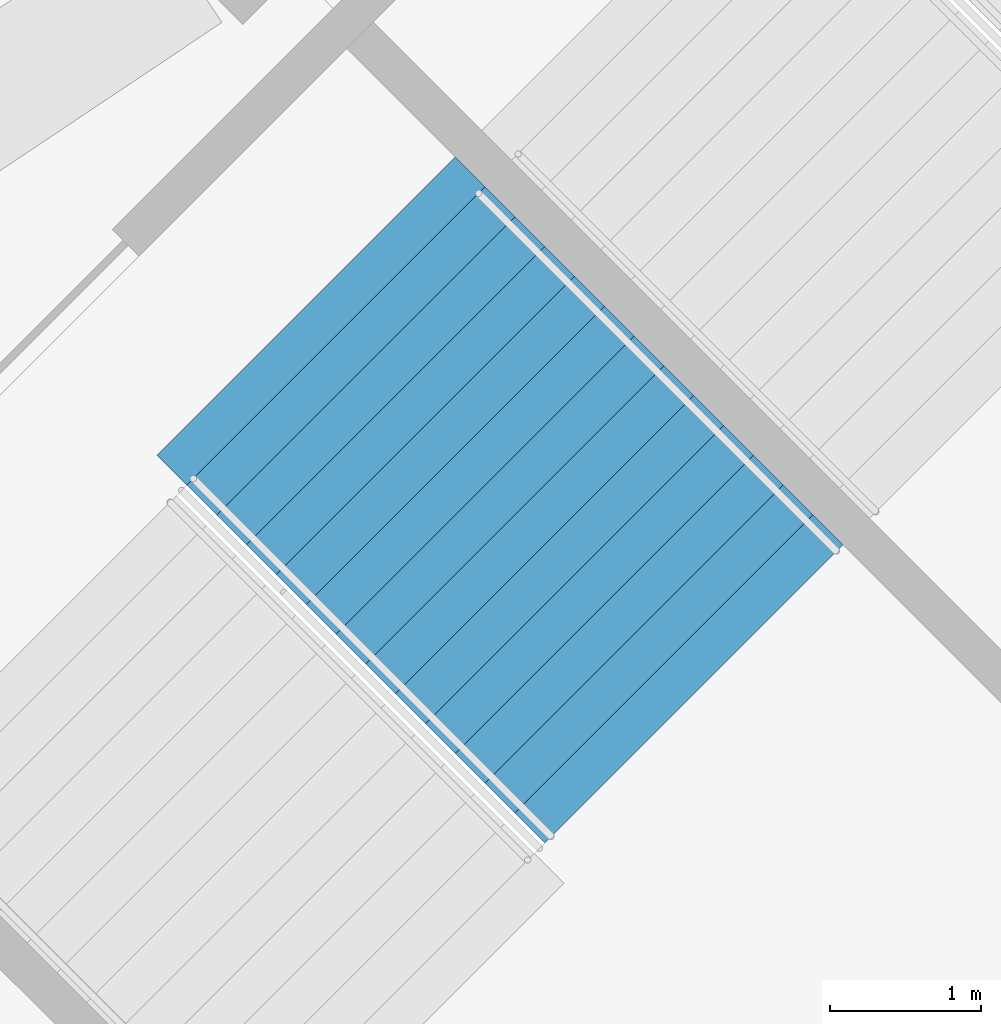
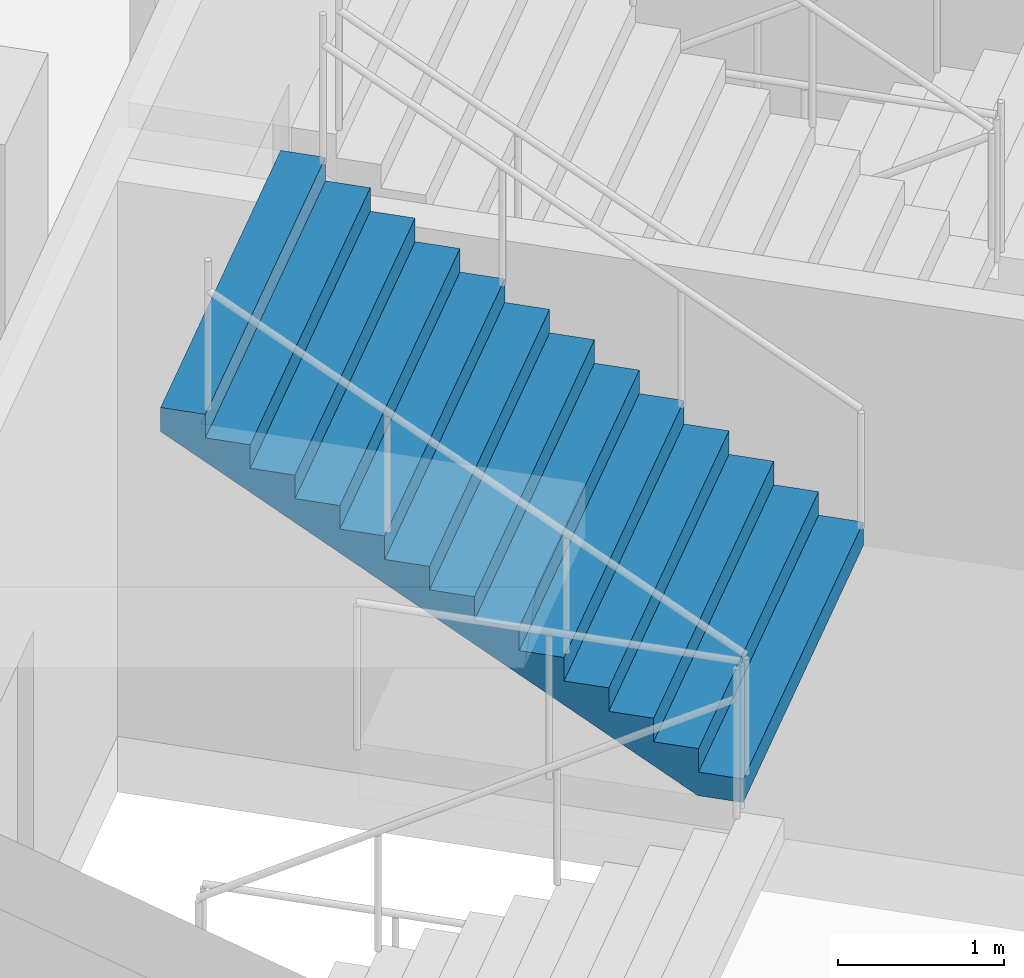
# One storey, part 138 of 199: 1 stair flight, 1 element without a shape of its own.
"""IFC4 building model written with IfcOpenShell, lengths in metres."""

from ifc_helpers import new_model, si_unit, direction, frame, origin, place, context, subcontext, project, spatial, faceted_brep, material, type_object, element, aggregate, save


model = new_model("IFC4")

# Units and contexts
model_context = context("Model", 3, precision=1e-05, world=origin(), true_north=direction((0.0, 1.0)))
body_context = subcontext(model_context, "Body", "Model", "MODEL_VIEW")
ifc_project = project(units=[si_unit("LENGTHUNIT", "METRE"), si_unit("AREAUNIT", "SQUARE_METRE"), si_unit("VOLUMEUNIT", "CUBIC_METRE"), si_unit("PLANEANGLEUNIT", "RADIAN"), si_unit("MASSUNIT", "GRAM", prefix="KILO")], contexts=[model_context])

# Site, building, storey
site_placement = place(None, origin())
site = spatial("IfcSite", under=ifc_project, at=site_placement, CompositionType="ELEMENT")
building_placement = place(site_placement, origin())
building = spatial("IfcBuilding", under=site, at=building_placement, Name="Ogive Plaza Stadium", CompositionType="ELEMENT")
storey_placement = place(building_placement, frame((0.0, 0.0, 4.5)))
storey = spatial("IfcBuildingStorey", under=building, at=storey_placement, Name="L01", CompositionType="ELEMENT", Elevation=4.5)

# Stair, stair flight
ifc_material_1 = material(Name="Concrete C40/50", Category="concrete")
stair_type = type_object("IfcStairType", Name="Exit stair", PredefinedType="STRAIGHT_RUN_STAIR", material=ifc_material_1)
stair_placement = place(storey_placement, origin())
stair = element("IfcStair", 1, at=stair_placement, inside=storey, type_object=stair_type, Name="Exit stair ST10A L01 to L02", PredefinedType="STRAIGHT_RUN_STAIR")
ifc_material_2 = material(Name="Concrete C40/50", Category="concrete")
stair_flight_type = type_object("IfcStairFlightType", Name="Exit stair flight", PredefinedType="STRAIGHT", material=ifc_material_2)
stair_flight_placement = place(storey_placement, frame((65.243408203125, -85.900146484375, 2.25), z_axis=(0.0, 0.0, 1.0), x_axis=(-0.707106781187, 0.707106781187, 0.0)))
stair_flight = element("IfcStairFlight", 2, at=stair_flight_placement, type_object=stair_flight_type, Name="ST10A flight 2", NumberOfRisers=13, NumberOfTreads=12, PredefinedType="STRAIGHT", RiserHeight=0.173076923, TreadLength=0.28, context=body_context, shape_type="Brep", body=[
    faceted_brep([(0.28515625, -1.39990234375, 0.0), (3.639892578125, -1.39990234375, 2.07373046875), (3.639892578125, -1.39990234375, 2.25), (3.360107421875, -1.39990234375, 2.25), (3.360107421875, -1.39990234375, 2.076904296875), (3.080078125, -1.39990234375, 2.076904296875), (3.080078125, -1.39990234375, 1.90380859375), (2.800048828125, -1.39990234375, 1.90380859375), (2.800048828125, -1.39990234375, 1.730712890625), (2.52001953125, -1.39990234375, 1.730712890625), (2.52001953125, -1.39990234375, 1.5576171875), (2.239990234375, -1.39990234375, 1.5576171875), (2.239990234375, -1.39990234375, 1.384521484375), (1.9599609375, -1.39990234375, 1.384521484375), (1.9599609375, -1.39990234375, 1.21142578125), (1.679931640625, -1.39990234375, 1.21142578125), (1.679931640625, -1.39990234375, 1.03857421875), (1.39990234375, -1.39990234375, 1.03857421875), (1.39990234375, -1.39990234375, 0.865478515625), (1.1201171875, -1.39990234375, 0.865478515625), (1.1201171875, -1.39990234375, 0.6923828125), (0.840087890625, -1.39990234375, 0.6923828125), (0.840087890625, -1.39990234375, 0.519287109375), (0.56005859375, -1.39990234375, 0.519287109375), (0.56005859375, -1.39990234375, 0.34619140625), (0.280029296875, -1.39990234375, 0.34619140625), (0.280029296875, -1.39990234375, 0.173095703125), (0.0, -1.39990234375, 0.173095703125), (0.0, -1.39990234375, 0.0), (0.0, 1.39990234375, 0.0), (0.0, 1.39990234375, 0.173095703125), (0.280029296875, 1.39990234375, 0.173095703125), (0.280029296875, 1.39990234375, 0.34619140625), (0.56005859375, 1.39990234375, 0.34619140625), (0.56005859375, 1.39990234375, 0.519287109375), (0.840087890625, 1.39990234375, 0.519287109375), (0.840087890625, 1.39990234375, 0.6923828125), (1.1201171875, 1.39990234375, 0.6923828125), (1.1201171875, 1.39990234375, 0.865478515625), (1.39990234375, 1.39990234375, 0.865478515625), (1.39990234375, 1.39990234375, 1.03857421875), (1.679931640625, 1.39990234375, 1.03857421875), (1.679931640625, 1.39990234375, 1.21142578125), (1.9599609375, 1.39990234375, 1.21142578125), (1.9599609375, 1.39990234375, 1.384521484375), (2.239990234375, 1.39990234375, 1.384521484375), (2.239990234375, 1.39990234375, 1.5576171875), (2.52001953125, 1.39990234375, 1.5576171875), (2.52001953125, 1.39990234375, 1.730712890625), (2.800048828125, 1.39990234375, 1.730712890625), (2.800048828125, 1.39990234375, 1.90380859375), (3.080078125, 1.39990234375, 1.90380859375), (3.080078125, 1.39990234375, 2.076904296875), (3.360107421875, 1.39990234375, 2.076904296875), (3.360107421875, 1.39990234375, 2.25), (3.639892578125, 1.39990234375, 2.25), (3.639892578125, 1.39990234375, 2.07373046875), (0.28515625, 1.39990234375, 0.0), (0.28515625, -1.0888671875, 0.0), (3.639892578125, -1.0888671875, 2.07373046875), (0.28515625, -0.77783203125, 0.0), (3.639892578125, -0.77783203125, 2.07373046875), (0.28515625, -0.466796875, 0.0), (3.639892578125, -0.466796875, 2.07373046875), (0.28515625, -0.155517578125, 0.0), (3.639892578125, -0.155517578125, 2.07373046875), (0.28515625, 0.155517578125, 0.0), (3.639892578125, 0.155517578125, 2.07373046875), (0.28515625, 0.466796875, 0.0), (3.639892578125, 0.466796875, 2.07373046875), (0.28515625, 0.77783203125, 0.0), (3.639892578125, 0.77783203125, 2.07373046875), (0.28515625, 1.0888671875, 0.0), (3.639892578125, 1.0888671875, 2.07373046875), (3.639892578125, -1.0888671875, 2.25), (3.639892578125, -0.77783203125, 2.25), (3.639892578125, -0.466796875, 2.25), (3.639892578125, -0.155517578125, 2.25), (3.639892578125, 0.155517578125, 2.25), (3.639892578125, 0.466796875, 2.25), (3.639892578125, 0.77783203125, 2.25), (3.639892578125, 1.0888671875, 2.25), (3.360107421875, -1.0888671875, 2.25), (3.360107421875, -0.77783203125, 2.25), (3.360107421875, -0.466796875, 2.25), (3.360107421875, -0.155517578125, 2.25), (3.360107421875, 0.155517578125, 2.25), (3.360107421875, 0.466796875, 2.25), (3.360107421875, 0.77783203125, 2.25), (3.360107421875, 1.0888671875, 2.25), (3.360107421875, -1.0888671875, 2.076904296875), (3.360107421875, -0.77783203125, 2.076904296875), (3.360107421875, -0.466796875, 2.076904296875), (3.360107421875, -0.155517578125, 2.076904296875), (3.360107421875, 0.155517578125, 2.076904296875), (3.360107421875, 0.466796875, 2.076904296875), (3.360107421875, 0.77783203125, 2.076904296875), (3.360107421875, 1.0888671875, 2.076904296875), (3.080078125, -1.0888671875, 2.076904296875), (3.080078125, -0.77783203125, 2.076904296875), (3.080078125, -0.466796875, 2.076904296875), (3.080078125, -0.155517578125, 2.076904296875), (3.080078125, 0.155517578125, 2.076904296875), (3.080078125, 0.466796875, 2.076904296875), (3.080078125, 0.77783203125, 2.076904296875), (3.080078125, 1.0888671875, 2.076904296875), (3.080078125, -1.0888671875, 1.90380859375), (3.080078125, -0.77783203125, 1.90380859375), (3.080078125, -0.466796875, 1.90380859375), (3.080078125, -0.155517578125, 1.90380859375), (3.080078125, 0.155517578125, 1.90380859375), (3.080078125, 0.466796875, 1.90380859375), (3.080078125, 0.77783203125, 1.90380859375), (3.080078125, 1.0888671875, 1.90380859375), (2.800048828125, -1.0888671875, 1.90380859375), (2.800048828125, -0.77783203125, 1.90380859375), (2.800048828125, -0.466796875, 1.90380859375), (2.800048828125, -0.155517578125, 1.90380859375), (2.800048828125, 0.155517578125, 1.90380859375), (2.800048828125, 0.466796875, 1.90380859375), (2.800048828125, 0.77783203125, 1.90380859375), (2.800048828125, 1.0888671875, 1.90380859375), (2.800048828125, -1.0888671875, 1.730712890625), (2.800048828125, -0.77783203125, 1.730712890625), (2.800048828125, -0.466796875, 1.730712890625), (2.800048828125, -0.155517578125, 1.730712890625), (2.800048828125, 0.155517578125, 1.730712890625), (2.800048828125, 0.466796875, 1.730712890625), (2.800048828125, 0.77783203125, 1.730712890625), (2.800048828125, 1.0888671875, 1.730712890625), (2.52001953125, -1.0888671875, 1.730712890625), (2.52001953125, -0.77783203125, 1.730712890625), (2.52001953125, -0.466796875, 1.730712890625), (2.52001953125, -0.155517578125, 1.730712890625), (2.52001953125, 0.155517578125, 1.730712890625), (2.52001953125, 0.466796875, 1.730712890625), (2.52001953125, 0.77783203125, 1.730712890625), (2.52001953125, 1.0888671875, 1.730712890625), (2.52001953125, -1.0888671875, 1.5576171875), (2.52001953125, -0.77783203125, 1.5576171875), (2.52001953125, -0.466796875, 1.5576171875), (2.52001953125, -0.155517578125, 1.5576171875), (2.52001953125, 0.155517578125, 1.5576171875), (2.52001953125, 0.466796875, 1.5576171875), (2.52001953125, 0.77783203125, 1.5576171875), (2.52001953125, 1.0888671875, 1.5576171875), (2.239990234375, -1.0888671875, 1.5576171875), (2.239990234375, -0.77783203125, 1.5576171875), (2.239990234375, -0.466796875, 1.5576171875), (2.239990234375, -0.155517578125, 1.5576171875), (2.239990234375, 0.155517578125, 1.5576171875), (2.239990234375, 0.466796875, 1.5576171875), (2.239990234375, 0.77783203125, 1.5576171875), (2.239990234375, 1.0888671875, 1.5576171875), (2.239990234375, -1.0888671875, 1.384521484375), (2.239990234375, -0.77783203125, 1.384521484375), (2.239990234375, -0.466796875, 1.384521484375), (2.239990234375, -0.155517578125, 1.384521484375), (2.239990234375, 0.155517578125, 1.384521484375), (2.239990234375, 0.466796875, 1.384521484375), (2.239990234375, 0.77783203125, 1.384521484375), (2.239990234375, 1.0888671875, 1.384521484375), (1.9599609375, -1.0888671875, 1.384521484375), (1.9599609375, -0.77783203125, 1.384521484375), (1.9599609375, -0.466796875, 1.384521484375), (1.9599609375, -0.155517578125, 1.384521484375), (1.9599609375, 0.155517578125, 1.384521484375), (1.9599609375, 0.466796875, 1.384521484375), (1.9599609375, 0.77783203125, 1.384521484375), (1.9599609375, 1.0888671875, 1.384521484375), (1.9599609375, -1.0888671875, 1.21142578125), (1.9599609375, -0.77783203125, 1.21142578125), (1.9599609375, -0.466796875, 1.21142578125), (1.9599609375, -0.155517578125, 1.21142578125), (1.9599609375, 0.155517578125, 1.21142578125), (1.9599609375, 0.466796875, 1.21142578125), (1.9599609375, 0.77783203125, 1.21142578125), (1.9599609375, 1.0888671875, 1.21142578125), (1.679931640625, -1.0888671875, 1.21142578125), (1.679931640625, -0.77783203125, 1.21142578125), (1.679931640625, -0.466796875, 1.21142578125), (1.679931640625, -0.155517578125, 1.21142578125), (1.679931640625, 0.155517578125, 1.21142578125), (1.679931640625, 0.466796875, 1.21142578125), (1.679931640625, 0.77783203125, 1.21142578125), (1.679931640625, 1.0888671875, 1.21142578125), (1.679931640625, -1.0888671875, 1.03857421875), (1.679931640625, -0.77783203125, 1.03857421875), (1.679931640625, -0.466796875, 1.03857421875), (1.679931640625, -0.155517578125, 1.03857421875), (1.679931640625, 0.155517578125, 1.03857421875), (1.679931640625, 0.466796875, 1.03857421875), (1.679931640625, 0.77783203125, 1.03857421875), (1.679931640625, 1.0888671875, 1.03857421875), (1.39990234375, -1.0888671875, 1.03857421875), (1.39990234375, -0.77783203125, 1.03857421875), (1.39990234375, -0.466796875, 1.03857421875), (1.39990234375, -0.155517578125, 1.03857421875), (1.39990234375, 0.155517578125, 1.03857421875), (1.39990234375, 0.466796875, 1.03857421875), (1.39990234375, 0.77783203125, 1.03857421875), (1.39990234375, 1.0888671875, 1.03857421875), (1.39990234375, -1.0888671875, 0.865478515625), (1.39990234375, -0.77783203125, 0.865478515625), (1.39990234375, -0.466796875, 0.865478515625), (1.39990234375, -0.155517578125, 0.865478515625), (1.39990234375, 0.155517578125, 0.865478515625), (1.39990234375, 0.466796875, 0.865478515625), (1.39990234375, 0.77783203125, 0.865478515625), (1.39990234375, 1.0888671875, 0.865478515625), (1.1201171875, -1.0888671875, 0.865478515625), (1.1201171875, -0.77783203125, 0.865478515625), (1.1201171875, -0.466796875, 0.865478515625), (1.1201171875, -0.155517578125, 0.865478515625), (1.1201171875, 0.155517578125, 0.865478515625), (1.1201171875, 0.466796875, 0.865478515625), (1.1201171875, 0.77783203125, 0.865478515625), (1.1201171875, 1.0888671875, 0.865478515625), (1.1201171875, -1.0888671875, 0.6923828125), (1.1201171875, -0.77783203125, 0.6923828125), (1.1201171875, -0.466796875, 0.6923828125), (1.1201171875, -0.155517578125, 0.6923828125), (1.1201171875, 0.155517578125, 0.6923828125), (1.1201171875, 0.466796875, 0.6923828125), (1.1201171875, 0.77783203125, 0.6923828125), (1.1201171875, 1.0888671875, 0.6923828125), (0.840087890625, -1.0888671875, 0.6923828125), (0.840087890625, -0.77783203125, 0.6923828125), (0.840087890625, -0.466796875, 0.6923828125), (0.840087890625, -0.155517578125, 0.6923828125), (0.840087890625, 0.155517578125, 0.6923828125), (0.840087890625, 0.466796875, 0.6923828125), (0.840087890625, 0.77783203125, 0.6923828125), (0.840087890625, 1.0888671875, 0.6923828125), (0.840087890625, -1.0888671875, 0.519287109375), (0.840087890625, -0.77783203125, 0.519287109375), (0.840087890625, -0.466796875, 0.519287109375), (0.840087890625, -0.155517578125, 0.519287109375), (0.840087890625, 0.155517578125, 0.519287109375), (0.840087890625, 0.466796875, 0.519287109375), (0.840087890625, 0.77783203125, 0.519287109375), (0.840087890625, 1.0888671875, 0.519287109375), (0.56005859375, -1.0888671875, 0.519287109375), (0.56005859375, -0.77783203125, 0.519287109375), (0.56005859375, -0.466796875, 0.519287109375), (0.56005859375, -0.155517578125, 0.519287109375), (0.56005859375, 0.155517578125, 0.519287109375), (0.56005859375, 0.466796875, 0.519287109375), (0.56005859375, 0.77783203125, 0.519287109375), (0.56005859375, 1.0888671875, 0.519287109375), (0.56005859375, -1.0888671875, 0.34619140625), (0.56005859375, -0.77783203125, 0.34619140625), (0.56005859375, -0.466796875, 0.34619140625), (0.56005859375, -0.155517578125, 0.34619140625), (0.56005859375, 0.155517578125, 0.34619140625), (0.56005859375, 0.466796875, 0.34619140625), (0.56005859375, 0.77783203125, 0.34619140625), (0.56005859375, 1.0888671875, 0.34619140625), (0.280029296875, -1.0888671875, 0.34619140625), (0.280029296875, -0.77783203125, 0.34619140625), (0.280029296875, -0.466796875, 0.34619140625), (0.280029296875, -0.155517578125, 0.34619140625), (0.280029296875, 0.155517578125, 0.34619140625), (0.280029296875, 0.466796875, 0.34619140625), (0.280029296875, 0.77783203125, 0.34619140625), (0.280029296875, 1.0888671875, 0.34619140625), (0.280029296875, -1.0888671875, 0.173095703125), (0.280029296875, -0.77783203125, 0.173095703125), (0.280029296875, -0.466796875, 0.173095703125), (0.280029296875, -0.155517578125, 0.173095703125), (0.280029296875, 0.155517578125, 0.173095703125), (0.280029296875, 0.466796875, 0.173095703125), (0.280029296875, 0.77783203125, 0.173095703125), (0.280029296875, 1.0888671875, 0.173095703125), (0.0, -1.0888671875, 0.173095703125), (0.0, -0.77783203125, 0.173095703125), (0.0, -0.466796875, 0.173095703125), (0.0, -0.155517578125, 0.173095703125), (0.0, 0.155517578125, 0.173095703125), (0.0, 0.466796875, 0.173095703125), (0.0, 0.77783203125, 0.173095703125), (0.0, 1.0888671875, 0.173095703125), (0.0, -1.0888671875, 0.0), (0.0, -0.77783203125, 0.0), (0.0, -0.466796875, 0.0), (0.0, -0.155517578125, 0.0), (0.0, 0.155517578125, 0.0), (0.0, 0.466796875, 0.0), (0.0, 0.77783203125, 0.0), (0.0, 1.0888671875, 0.0)], [[[0, 1, 2, 3, 4, 5, 6, 7, 8, 9, 10, 11, 12, 13, 14, 15, 16, 17, 18, 19, 20, 21, 22, 23, 24, 25, 26, 27, 28]], [[29, 30, 31, 32, 33, 34, 35, 36, 37, 38, 39, 40, 41, 42, 43, 44, 45, 46, 47, 48, 49, 50, 51, 52, 53, 54, 55, 56, 57]], [[0, 58, 59, 1]], [[58, 60, 61, 59]], [[60, 62, 63, 61]], [[62, 64, 65, 63]], [[64, 66, 67, 65]], [[66, 68, 69, 67]], [[68, 70, 71, 69]], [[70, 72, 73, 71]], [[72, 57, 56, 73]], [[1, 59, 74, 2]], [[59, 61, 75, 74]], [[61, 63, 76, 75]], [[63, 65, 77, 76]], [[65, 67, 78, 77]], [[67, 69, 79, 78]], [[69, 71, 80, 79]], [[71, 73, 81, 80]], [[73, 56, 55, 81]], [[2, 74, 82, 3]], [[74, 75, 83, 82]], [[75, 76, 84, 83]], [[76, 77, 85, 84]], [[77, 78, 86, 85]], [[78, 79, 87, 86]], [[79, 80, 88, 87]], [[80, 81, 89, 88]], [[81, 55, 54, 89]], [[3, 82, 90, 4]], [[82, 83, 91, 90]], [[83, 84, 92, 91]], [[84, 85, 93, 92]], [[85, 86, 94, 93]], [[86, 87, 95, 94]], [[87, 88, 96, 95]], [[88, 89, 97, 96]], [[89, 54, 53, 97]], [[4, 90, 98, 5]], [[90, 91, 99, 98]], [[91, 92, 100, 99]], [[92, 93, 101, 100]], [[93, 94, 102, 101]], [[94, 95, 103, 102]], [[95, 96, 104, 103]], [[96, 97, 105, 104]], [[97, 53, 52, 105]], [[5, 98, 106, 6]], [[98, 99, 107, 106]], [[99, 100, 108, 107]], [[100, 101, 109, 108]], [[101, 102, 110, 109]], [[102, 103, 111, 110]], [[103, 104, 112, 111]], [[104, 105, 113, 112]], [[105, 52, 51, 113]], [[6, 106, 114, 7]], [[106, 107, 115, 114]], [[107, 108, 116, 115]], [[108, 109, 117, 116]], [[109, 110, 118, 117]], [[110, 111, 119, 118]], [[111, 112, 120, 119]], [[112, 113, 121, 120]], [[113, 51, 50, 121]], [[7, 114, 122, 8]], [[114, 115, 123, 122]], [[115, 116, 124, 123]], [[116, 117, 125, 124]], [[117, 118, 126, 125]], [[118, 119, 127, 126]], [[119, 120, 128, 127]], [[120, 121, 129, 128]], [[121, 50, 49, 129]], [[8, 122, 130, 9]], [[122, 123, 131, 130]], [[123, 124, 132, 131]], [[124, 125, 133, 132]], [[125, 126, 134, 133]], [[126, 127, 135, 134]], [[127, 128, 136, 135]], [[128, 129, 137, 136]], [[129, 49, 48, 137]], [[9, 130, 138, 10]], [[130, 131, 139, 138]], [[131, 132, 140, 139]], [[132, 133, 141, 140]], [[133, 134, 142, 141]], [[134, 135, 143, 142]], [[135, 136, 144, 143]], [[136, 137, 145, 144]], [[137, 48, 47, 145]], [[10, 138, 146, 11]], [[138, 139, 147, 146]], [[139, 140, 148, 147]], [[140, 141, 149, 148]], [[141, 142, 150, 149]], [[142, 143, 151, 150]], [[143, 144, 152, 151]], [[144, 145, 153, 152]], [[145, 47, 46, 153]], [[11, 146, 154, 12]], [[146, 147, 155, 154]], [[147, 148, 156, 155]], [[148, 149, 157, 156]], [[149, 150, 158, 157]], [[150, 151, 159, 158]], [[151, 152, 160, 159]], [[152, 153, 161, 160]], [[153, 46, 45, 161]], [[12, 154, 162, 13]], [[154, 155, 163, 162]], [[155, 156, 164, 163]], [[156, 157, 165, 164]], [[157, 158, 166, 165]], [[158, 159, 167, 166]], [[159, 160, 168, 167]], [[160, 161, 169, 168]], [[161, 45, 44, 169]], [[13, 162, 170, 14]], [[162, 163, 171, 170]], [[163, 164, 172, 171]], [[164, 165, 173, 172]], [[165, 166, 174, 173]], [[166, 167, 175, 174]], [[167, 168, 176, 175]], [[168, 169, 177, 176]], [[169, 44, 43, 177]], [[14, 170, 178, 15]], [[170, 171, 179, 178]], [[171, 172, 180, 179]], [[172, 173, 181, 180]], [[173, 174, 182, 181]], [[174, 175, 183, 182]], [[175, 176, 184, 183]], [[176, 177, 185, 184]], [[177, 43, 42, 185]], [[15, 178, 186, 16]], [[178, 179, 187, 186]], [[179, 180, 188, 187]], [[180, 181, 189, 188]], [[181, 182, 190, 189]], [[182, 183, 191, 190]], [[183, 184, 192, 191]], [[184, 185, 193, 192]], [[185, 42, 41, 193]], [[16, 186, 194, 17]], [[186, 187, 195, 194]], [[187, 188, 196, 195]], [[188, 189, 197, 196]], [[189, 190, 198, 197]], [[190, 191, 199, 198]], [[191, 192, 200, 199]], [[192, 193, 201, 200]], [[193, 41, 40, 201]], [[17, 194, 202, 18]], [[194, 195, 203, 202]], [[195, 196, 204, 203]], [[196, 197, 205, 204]], [[197, 198, 206, 205]], [[198, 199, 207, 206]], [[199, 200, 208, 207]], [[200, 201, 209, 208]], [[201, 40, 39, 209]], [[18, 202, 210, 19]], [[202, 203, 211, 210]], [[203, 204, 212, 211]], [[204, 205, 213, 212]], [[205, 206, 214, 213]], [[206, 207, 215, 214]], [[207, 208, 216, 215]], [[208, 209, 217, 216]], [[209, 39, 38, 217]], [[19, 210, 218, 20]], [[210, 211, 219, 218]], [[211, 212, 220, 219]], [[212, 213, 221, 220]], [[213, 214, 222, 221]], [[214, 215, 223, 222]], [[215, 216, 224, 223]], [[216, 217, 225, 224]], [[217, 38, 37, 225]], [[20, 218, 226, 21]], [[218, 219, 227, 226]], [[219, 220, 228, 227]], [[220, 221, 229, 228]], [[221, 222, 230, 229]], [[222, 223, 231, 230]], [[223, 224, 232, 231]], [[224, 225, 233, 232]], [[225, 37, 36, 233]], [[21, 226, 234, 22]], [[226, 227, 235, 234]], [[227, 228, 236, 235]], [[228, 229, 237, 236]], [[229, 230, 238, 237]], [[230, 231, 239, 238]], [[231, 232, 240, 239]], [[232, 233, 241, 240]], [[233, 36, 35, 241]], [[22, 234, 242, 23]], [[234, 235, 243, 242]], [[235, 236, 244, 243]], [[236, 237, 245, 244]], [[237, 238, 246, 245]], [[238, 239, 247, 246]], [[239, 240, 248, 247]], [[240, 241, 249, 248]], [[241, 35, 34, 249]], [[23, 242, 250, 24]], [[242, 243, 251, 250]], [[243, 244, 252, 251]], [[244, 245, 253, 252]], [[245, 246, 254, 253]], [[246, 247, 255, 254]], [[247, 248, 256, 255]], [[248, 249, 257, 256]], [[249, 34, 33, 257]], [[24, 250, 258, 25]], [[250, 251, 259, 258]], [[251, 252, 260, 259]], [[252, 253, 261, 260]], [[253, 254, 262, 261]], [[254, 255, 263, 262]], [[255, 256, 264, 263]], [[256, 257, 265, 264]], [[257, 33, 32, 265]], [[25, 258, 266, 26]], [[258, 259, 267, 266]], [[259, 260, 268, 267]], [[260, 261, 269, 268]], [[261, 262, 270, 269]], [[262, 263, 271, 270]], [[263, 264, 272, 271]], [[264, 265, 273, 272]], [[265, 32, 31, 273]], [[26, 266, 274, 27]], [[266, 267, 275, 274]], [[267, 268, 276, 275]], [[268, 269, 277, 276]], [[269, 270, 278, 277]], [[270, 271, 279, 278]], [[271, 272, 280, 279]], [[272, 273, 281, 280]], [[273, 31, 30, 281]], [[27, 274, 282, 28]], [[274, 275, 283, 282]], [[275, 276, 284, 283]], [[276, 277, 285, 284]], [[277, 278, 286, 285]], [[278, 279, 287, 286]], [[279, 280, 288, 287]], [[280, 281, 289, 288]], [[281, 30, 29, 289]], [[28, 282, 58, 0]], [[282, 283, 60, 58]], [[283, 284, 62, 60]], [[284, 285, 64, 62]], [[285, 286, 66, 64]], [[286, 287, 68, 66]], [[287, 288, 70, 68]], [[288, 289, 72, 70]], [[289, 29, 57, 72]]]),
])
aggregate(stair, [stair_flight])

save(model, "model.ifc")
